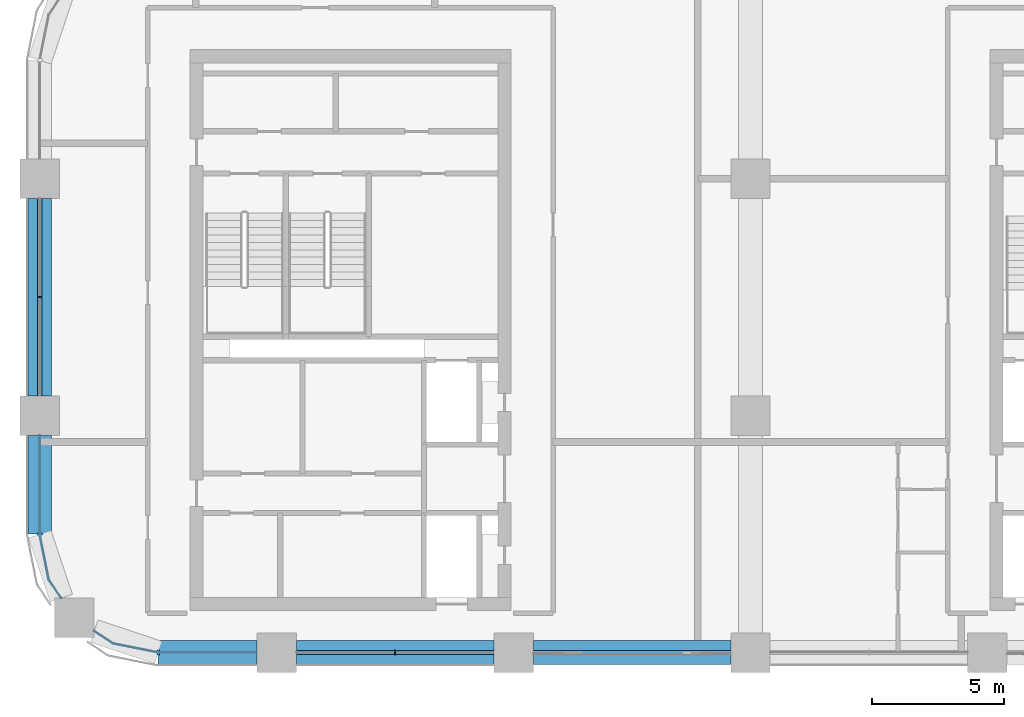
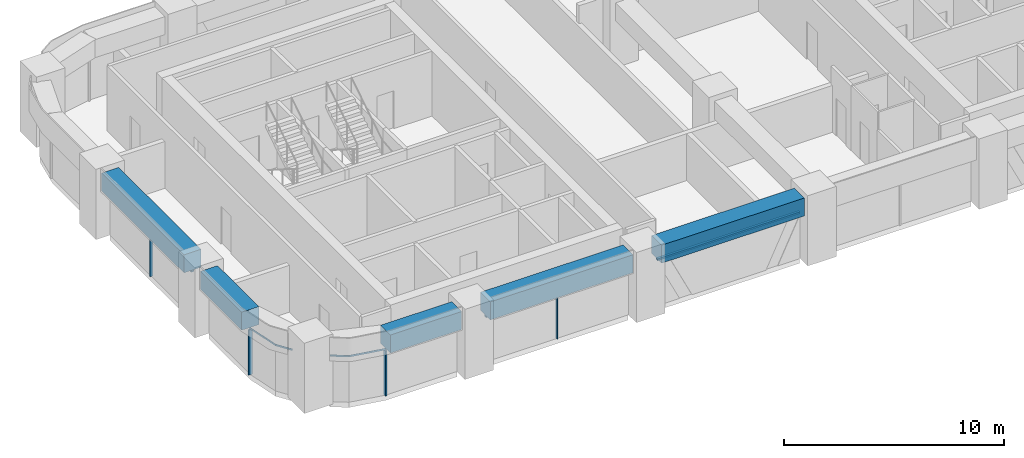
# One storey, part 2 of 14: 9 members, 5 beams, 5 elements without a shape of their own.
"""IFC4 building model written with IfcOpenShell, lengths in metres."""

import ifcopenshell
import ifcopenshell.guid

model = None  # the IFC model being written
_history = None  # IfcOwnerHistory: only IFC2X3 demands one
_inside = {}  # id of a spatial element -> (the spatial element, [elements in it])
_under = {}  # id of a project, library or spatial element -> (it, [spatial elements below it])
_declared = {}  # id of a project -> (the project, [libraries it declares])
_typed = {}  # id of a type object -> (the type object, [elements of that type])
_made_of = {}  # id of a material, layer set ... -> (it, [elements and type objects made of it])


def new_model(schema):
    """Start an empty IFC model of exactly this schema.

    Asked for "IFC4X3", IfcOpenShell would pick the latest addendum, in which some entities
    have other attributes; the version numbers below select the first issue.
    IFC2X3 requires an IfcOwnerHistory on every rooted entity: one is made here for all.
    """
    global model, _history
    if schema == "IFC4X3":
        model = ifcopenshell.file(schema_version=(4, 3, 0, 0))
    else:
        model = ifcopenshell.file(schema=schema)
    _inside.clear()
    _under.clear()
    _declared.clear()
    _typed.clear()
    _made_of.clear()
    _history = None
    if model.schema == "IFC2X3":
        org = make("IfcOrganization", Name="unknown")
        user = make(
            "IfcPersonAndOrganization",
            ThePerson=make("IfcPerson", FamilyName="unknown"),
            TheOrganization=org,
        )
        app = make(
            "IfcApplication",
            ApplicationDeveloper=org,
            Version="unknown",
            ApplicationFullName="unknown",
            ApplicationIdentifier="unknown",
        )
        _history = make(
            "IfcOwnerHistory",
            OwningUser=user,
            OwningApplication=app,
            ChangeAction="ADDED",
            CreationDate=0,
        )
    return model


def make(cls, **values):
    """One entity of the class cls with the attributes given. An attribute that is None is left unset."""
    return model.create_entity(
        cls, **{name: value for name, value in values.items() if value is not None}
    )


def rooted(cls, **values):
    """An entity with a GlobalId (a new one), such as an element, a storey or a relation."""
    return make(cls, GlobalId=ifcopenshell.guid.new(), OwnerHistory=_history, **values)


def si_unit(unit_type, name, prefix=None):
    """IfcSIUnit, for example si_unit("LENGTHUNIT", "METRE", prefix="MILLI")."""
    return make("IfcSIUnit", UnitType=unit_type, Prefix=prefix, Name=name)


def assignment(units):
    """IfcUnitAssignment: the units of a project."""
    return None if units is None else make("IfcUnitAssignment", Units=units)


def point(xyz):
    """IfcCartesianPoint."""
    return None if xyz is None else make("IfcCartesianPoint", Coordinates=xyz)


def direction(xyz):
    """IfcDirection."""
    return None if xyz is None else make("IfcDirection", DirectionRatios=xyz)


def frame(location, z_axis=None, x_axis=None):
    """IfcAxis2Placement3D, a coordinate frame: its origin and axes. An axis left out is left unset."""
    return make(
        "IfcAxis2Placement3D",
        Location=point(location),
        Axis=direction(z_axis),
        RefDirection=direction(x_axis),
    )


def frame_2d(location, x_axis=None):
    """IfcAxis2Placement2D, a coordinate frame in the plane: its origin and x axis."""
    return make(
        "IfcAxis2Placement2D", Location=point(location), RefDirection=direction(x_axis)
    )


def origin():
    """The frame at (0, 0, 0) with its axes left unset."""
    return frame((0.0, 0.0, 0.0))


def origin_2d():
    """The frame at (0, 0) in the plane with its x axis left unset."""
    return frame_2d((0.0, 0.0))


def place(relative_to, where):
    """IfcLocalPlacement: puts the frame where relative to a parent placement (None: the world)."""
    return make(
        "IfcLocalPlacement", PlacementRelTo=relative_to, RelativePlacement=where
    )


def context(
    kind, dimensions, precision=None, world=None, true_north=None, identifier=None
):
    """IfcGeometricRepresentationContext, for example the 3D "Model" context."""
    return make(
        "IfcGeometricRepresentationContext",
        ContextIdentifier=identifier,
        ContextType=kind,
        CoordinateSpaceDimension=dimensions,
        Precision=precision,
        WorldCoordinateSystem=world,
        TrueNorth=true_north,
    )


def subcontext(parent, identifier, kind, view, scale=None):
    """IfcGeometricRepresentationSubContext, for example "Body" below "Model"."""
    return make(
        "IfcGeometricRepresentationSubContext",
        ContextIdentifier=identifier,
        ContextType=kind,
        ParentContext=parent,
        TargetScale=scale,
        TargetView=view,
    )


def project(units=None, contexts=None):
    """IfcProject with its units and contexts."""
    return rooted(
        "IfcProject",
        Name="project",
        RepresentationContexts=contexts,
        UnitsInContext=assignment(units),
    )


def spatial(cls, under=None, at=None, **own):
    """A site, building, storey or space (cls), placed at a placement, below another one or the project."""
    s = rooted(cls, ObjectPlacement=at, **own)
    if under is not None:
        _under.setdefault(under.id(), (under, []))[1].append(s)
    return s


def polyline(points):
    """IfcPolyline through the points."""
    return make("IfcPolyline", Points=[point(p) for p in points])


def profile(cls, at=None, kind="AREA", **sizes):
    """A parametric profile (cls). Its sizes go by their IFC names, for example OverallWidth=200.0."""
    return make(cls, ProfileType=kind, Position=at, **sizes)


def rectangle(**sizes):
    """IfcRectangleProfileDef."""
    return profile("IfcRectangleProfileDef", **sizes)


def outline(outer, holes=None, kind="AREA"):
    """IfcArbitraryClosedProfileDef: a profile drawn as a closed curve; with holes, ...WithVoids."""
    if holes is None:
        return make("IfcArbitraryClosedProfileDef", ProfileType=kind, OuterCurve=outer)
    return make(
        "IfcArbitraryProfileDefWithVoids",
        ProfileType=kind,
        OuterCurve=outer,
        InnerCurves=holes,
    )


def extrude(swept, where, along, depth):
    """IfcExtrudedAreaSolid: the profile swept, set in the frame where, extruded along a direction by depth."""
    return make(
        "IfcExtrudedAreaSolid",
        SweptArea=swept,
        Position=where,
        ExtrudedDirection=direction(along),
        Depth=depth,
    )


def shape(context_of_items, identifier, shape_type, items):
    """IfcShapeRepresentation: the items that make up one representation, for example the "Body"."""
    return make(
        "IfcShapeRepresentation",
        ContextOfItems=context_of_items,
        RepresentationIdentifier=identifier,
        RepresentationType=shape_type,
        Items=items,
    )


def material(Name=None, Category=None):
    """IfcMaterial."""
    return make("IfcMaterial", Name=Name, Category=Category)


def material_profile(
    of_material, cross_section, Name=None, Category=None, Priority=None
):
    """IfcMaterialProfile: a cross section and its material."""
    return make(
        "IfcMaterialProfile",
        Name=Name,
        Material=of_material,
        Profile=cross_section,
        Priority=Priority,
        Category=Category,
    )


def profile_set(profiles, Name=None, composite=None):
    """IfcMaterialProfileSet."""
    return make(
        "IfcMaterialProfileSet",
        Name=Name,
        MaterialProfiles=profiles,
        CompositeProfile=composite,
    )


def made_of(thing, what):
    """Note that an element or type object is made of a material, layer set ...; save() writes the relation."""
    if what is not None:
        _made_of.setdefault(what.id(), (what, []))[1].append(thing)
    return thing


def type_object(cls, material=None, **own):
    """A type object (cls), such as IfcWallType, which elements share."""
    return made_of(rooted(cls, **own), material)


def element(
    cls,
    number,
    at=None,
    inside=None,
    cuts=None,
    type_object=None,
    material=None,
    context=None,
    identifier="Body",
    shape_type=None,
    held_by="IfcProductDefinitionShape",
    body=None,
    shapes=None,
    **own,
):
    """One element of the class cls, such as IfcWall. Its Tag is "e" and its number.

    at: its placement. inside: the storey or other place that contains it. cuts: it is an
    opening in that element (IfcRelVoidsElement). A single representation is given by context,
    identifier, shape_type and body (its items); several are given by shapes. held_by: the class
    of the entity that holds the representations. save() writes the other relations.
    """
    e = rooted(cls, Tag="e%d" % number, ObjectPlacement=at, **own)
    if body is not None:
        shapes = [shape(context, identifier, shape_type, body)]
    if shapes is not None:
        e.Representation = make(held_by, Representations=shapes)
    if inside is not None:
        _inside.setdefault(inside.id(), (inside, []))[1].append(e)
    if cuts is not None:
        rooted(
            "IfcRelVoidsElement", RelatingBuildingElement=cuts, RelatedOpeningElement=e
        )
    if type_object is not None:
        _typed.setdefault(type_object.id(), (type_object, []))[1].append(e)
    return made_of(e, material)


def aggregate(whole, parts):
    """IfcRelAggregates: a whole, such as a stair, and the parts it consists of."""
    return rooted("IfcRelAggregates", RelatingObject=whole, RelatedObjects=parts)


def save(model, path):
    """Write the relations noted so far, then the file.

    IfcRelAggregates (storeys below a building ...), IfcRelContainedInSpatialStructure (elements
    in a storey), IfcRelDefinesByType, IfcRelAssociatesMaterial and IfcRelDeclares: one each for
    every whole, place, type object, material and project.
    """
    for whole, parts in _under.values():
        aggregate(whole, parts)
    for where, things in _inside.values():
        rooted(
            "IfcRelContainedInSpatialStructure",
            RelatedElements=things,
            RelatingStructure=where,
        )
    for kind, things in _typed.values():
        rooted("IfcRelDefinesByType", RelatedObjects=things, RelatingType=kind)
    for what, things in _made_of.values():
        rooted("IfcRelAssociatesMaterial", RelatedObjects=things, RelatingMaterial=what)
    for by, libraries in _declared.values():
        rooted("IfcRelDeclares", RelatingContext=by, RelatedDefinitions=libraries)
    model.write(path)


model = new_model("IFC4")

# Units and contexts
model_context = context("Model", 3, precision=1e-05, world=origin(), true_north=direction((0.0, 1.0)))
body_context = subcontext(model_context, "Body", "Model", "MODEL_VIEW")
ifc_project = project(units=[si_unit("LENGTHUNIT", "METRE"), si_unit("AREAUNIT", "SQUARE_METRE"), si_unit("VOLUMEUNIT", "CUBIC_METRE"), si_unit("PLANEANGLEUNIT", "RADIAN"), si_unit("MASSUNIT", "GRAM", prefix="KILO")], contexts=[model_context])

# Site, building, storey
site_placement = place(None, origin())
site = spatial("IfcSite", under=ifc_project, at=site_placement, CompositionType="ELEMENT")
building_placement = place(site_placement, origin())
building = spatial("IfcBuilding", under=site, at=building_placement, Name="Tessera Arch", CompositionType="ELEMENT")
storey_placement = place(building_placement, frame((0.0, 0.0, 177.800048828125)))
storey = spatial("IfcBuildingStorey", under=building, at=storey_placement, Name="L42", CompositionType="ELEMENT", Elevation=177.800048828125)

# Curtain wall, member
ifc_material_1 = material(Name="CW1 curtain wall")
curtain_wall_type_1 = type_object("IfcCurtainWallType", Name="CW1 curtain wall", PredefinedType="NOTDEFINED", material=ifc_material_1)
curtain_wall_1_placement = place(storey_placement, origin())
curtain_wall_1 = element("IfcCurtainWall", 1, at=curtain_wall_1_placement, inside=storey, type_object=curtain_wall_type_1, Name="CW1 curtain wall W0.27/1 L42", PredefinedType="NOTDEFINED")
ifc_material_2 = material(Name="Anodised aluminium pale metal", Category="aluminium")
ifc_material_profile_1 = material_profile(ifc_material_2, rectangle(XDim=0.159912109375, YDim=0.06005859375, at=origin_2d()), Name="AL 60x160")
ifc_profile_set_1 = profile_set([ifc_material_profile_1], Name="Anodised aluminium pale metal")
member_type_1 = type_object("IfcMemberType", Name="CW1 mullion", PredefinedType="MULLION", material=ifc_profile_set_1)
member_1_placement = place(storey_placement, frame((0.0, 40.5, 0.0), z_axis=(0.0, 0.0, 1.0), x_axis=(1.0, 0.0, 0.0)))
member_1 = element("IfcMember", 2, at=member_1_placement, type_object=member_type_1, Name="CW1 mullion W0.27/1 1", PredefinedType="MULLION", context=body_context, shape_type="SweptSolid", body=[
    extrude(rectangle(XDim=0.159912109375, YDim=0.06005859375, at=origin_2d()), origin(), (0.0, 0.0, 1.0), 2.5),
])

curtain_wall_2_placement = place(storey_placement, origin())
curtain_wall_2 = element("IfcCurtainWall", 3, at=curtain_wall_2_placement, inside=storey, type_object=curtain_wall_type_1, Name="CW1 curtain wall S27.0/1 L42", PredefinedType="NOTDEFINED")
member_2_placement = place(storey_placement, frame((13.5, 27.0, 0.0), z_axis=(0.0, 0.0, 1.0), x_axis=(0.0, 1.0, 0.0)))
member_2 = element("IfcMember", 4, at=member_2_placement, type_object=member_type_1, Name="CW1 mullion S27.0/1 1", PredefinedType="MULLION", context=body_context, shape_type="SweptSolid", body=[
    extrude(rectangle(XDim=0.159912109375, YDim=0.06005859375, at=origin_2d()), origin(), (0.0, 0.0, 1.0), 2.5),
])

# Member
ifc_material_3 = material(Name="Anodised aluminium pale metal", Category="aluminium")
ifc_material_profile_2 = material_profile(ifc_material_3, rectangle(XDim=0.159912109375, YDim=0.10009765625, at=origin_2d()), Name="AL 160x100")
ifc_profile_set_2 = profile_set([ifc_material_profile_2], Name="Anodised aluminium pale metal")
member_type_2 = type_object("IfcMemberType", Name="CW1 transom", PredefinedType="USERDEFINED", material=ifc_profile_set_2)
member_3_placement = place(storey_placement, frame((0.0, 44.25, 2.550048828125), z_axis=(0.0, -1.0, 0.0), x_axis=(1.0, 0.0, 0.0)))
member_3 = element("IfcMember", 5, at=member_3_placement, type_object=member_type_2, Name="CW1 transom W0.27/1 1.1", ObjectType="TRANSOM", PredefinedType="USERDEFINED", context=body_context, shape_type="SweptSolid", body=[
    extrude(rectangle(XDim=0.159912109375, YDim=0.10009765625, at=origin_2d()), origin(), (0.0, 0.0, 1.0), 7.5),
])

aggregate(curtain_wall_1, [member_1, member_3])

member_4_placement = place(storey_placement, frame((9.75, 27.0, 2.550048828125), z_axis=(1.0, 0.0, 0.0), x_axis=(0.0, 1.0, 0.0)))
member_4 = element("IfcMember", 6, at=member_4_placement, type_object=member_type_2, Name="CW1 transom S27.0/1 1.1", ObjectType="TRANSOM", PredefinedType="USERDEFINED", context=body_context, shape_type="SweptSolid", body=[
    extrude(rectangle(XDim=0.159912109375, YDim=0.10009765625, at=origin_2d()), origin(), (0.0, 0.0, 1.0), 7.5),
])

aggregate(curtain_wall_2, [member_2, member_4])

# Curtain wall, member
ifc_material_4 = material(Name="CW2 curtain wall")
curtain_wall_type_2 = type_object("IfcCurtainWallType", Name="CW2 curtain wall", PredefinedType="NOTDEFINED", material=ifc_material_4)
curtain_wall_3_placement = place(storey_placement, origin())
curtain_wall_3 = element("IfcCurtainWall", 7, at=curtain_wall_3_placement, inside=storey, type_object=curtain_wall_type_2, Name="CW2 curtain wall W0.27/2 L42", PredefinedType="NOTDEFINED")
ifc_material_5 = material(Name="Anodised aluminium pale metal", Category="aluminium")
ifc_material_profile_3 = material_profile(ifc_material_5, rectangle(XDim=0.199951171875, YDim=0.080078125, at=origin_2d()), Name="AL 80x200")
ifc_profile_set_3 = profile_set([ifc_material_profile_3], Name="Anodised aluminium pale metal")
member_type_3 = type_object("IfcMemberType", Name="CW2 mullion", PredefinedType="MULLION", material=ifc_profile_set_3)
member_5_placement = place(storey_placement, frame((0.0, 31.5, 0.0), z_axis=(0.0, 0.0, 1.0), x_axis=(1.0, 0.0, 0.0)))
member_5 = element("IfcMember", 8, at=member_5_placement, type_object=member_type_3, Name="CW2 mullion W0.27/2 1", PredefinedType="MULLION", context=body_context, shape_type="SweptSolid", body=[
    extrude(rectangle(XDim=0.199951171875, YDim=0.080078125, at=origin_2d()), origin(), (0.0, 0.0, 1.0), 2.5),
])

curtain_wall_4_placement = place(storey_placement, origin())
curtain_wall_4 = element("IfcCurtainWall", 9, at=curtain_wall_4_placement, inside=storey, type_object=curtain_wall_type_2, Name="CW2 curtain wall S27.0/0 L42", PredefinedType="NOTDEFINED")
member_6_placement = place(storey_placement, frame((4.5, 27.0, 0.0), z_axis=(0.0, 0.0, 1.0), x_axis=(0.0, 1.0, 0.0)))
member_6 = element("IfcMember", 10, at=member_6_placement, type_object=member_type_3, Name="CW2 mullion S27.0/0 1", PredefinedType="MULLION", context=body_context, shape_type="SweptSolid", body=[
    extrude(rectangle(XDim=0.199951171875, YDim=0.080078125, at=origin_2d()), origin(), (0.0, 0.0, 1.0), 2.5),
])

# Member
ifc_material_6 = material(Name="Anodised aluminium pale metal", Category="aluminium")
ifc_material_profile_4 = material_profile(ifc_material_6, rectangle(XDim=0.199951171875, YDim=0.10009765625, at=origin_2d()), Name="AL 200x100")
ifc_profile_set_4 = profile_set([ifc_material_profile_4], Name="Anodised aluminium pale metal")
member_type_4 = type_object("IfcMemberType", Name="CW2 transom", PredefinedType="USERDEFINED", material=ifc_profile_set_4)
member_7_placement = place(storey_placement, frame((0.0, 0.0, 2.5)))
member_7 = element("IfcMember", 11, at=member_7_placement, type_object=member_type_4, Name="CW2 transom W0.27/2 1", ObjectType="TRANSOM", PredefinedType="USERDEFINED", context=body_context, shape_type="SweptSolid", body=[
    extrude(outline(polyline([(0.010009765625, 31.5009765625), (0.010009765625, 35.25), (-0.010009765625, 35.25), (-0.010009765625, 31.4990234375), (0.3330078125, 29.77392578125), (0.80859375, 29.0625), (0.8251953125, 29.073486328125), (0.351806640625, 29.78173828125), (0.010009765625, 31.5009765625)])), origin(), (0.0, 0.0, 1.0), 0.099853515625),
])

aggregate(curtain_wall_3, [member_5, member_7])

member_8_placement = place(storey_placement, frame((0.0, 0.0, 2.5)))
member_8 = element("IfcMember", 12, at=member_8_placement, type_object=member_type_4, Name="CW2 transom S27.0/0 1", ObjectType="TRANSOM", PredefinedType="USERDEFINED", context=body_context, shape_type="SweptSolid", body=[
    extrude(outline(polyline([(2.78173828125, 27.351806640625), (2.073486328125, 27.8251953125), (2.0625, 27.80859375), (2.77392578125, 27.3330078125), (4.4990234375, 26.989990234375), (8.25, 26.989990234375), (8.25, 27.010009765625), (4.5009765625, 27.010009765625), (2.78173828125, 27.351806640625)])), origin(), (0.0, 0.0, 1.0), 0.099853515625),
])

aggregate(curtain_wall_4, [member_6, member_8])

# Curtain wall, member
ifc_material_7 = material(Name="CW3 curtain wall")
curtain_wall_type_3 = type_object("IfcCurtainWallType", Name="CW3 curtain wall", PredefinedType="NOTDEFINED", material=ifc_material_7)
curtain_wall_5_placement = place(storey_placement, origin())
curtain_wall_5 = element("IfcCurtainWall", 13, at=curtain_wall_5_placement, inside=storey, type_object=curtain_wall_type_3, Name="CW3 curtain wall S27.0/2 L42", PredefinedType="NOTDEFINED")
ifc_material_8 = material(Name="Anodised aluminium pale metal", Category="aluminium")
ifc_material_profile_5 = material_profile(ifc_material_8, rectangle(XDim=0.139892578125, YDim=0.10009765625, at=origin_2d()), Name="AL 140x100")
ifc_profile_set_5 = profile_set([ifc_material_profile_5], Name="Anodised aluminium pale metal")
member_type_5 = type_object("IfcMemberType", Name="CW3 transom", PredefinedType="USERDEFINED", material=ifc_profile_set_5)
member_9_placement = place(storey_placement, frame((18.75, 27.0, 2.550048828125), z_axis=(1.0, 0.0, 0.0), x_axis=(0.0, 1.0, 0.0)))
member_9 = element("IfcMember", 14, at=member_9_placement, type_object=member_type_5, Name="CW3 transom S27.0/2 1.1", ObjectType="TRANSOM", PredefinedType="USERDEFINED", context=body_context, shape_type="SweptSolid", body=[
    extrude(rectangle(XDim=0.139892578125, YDim=0.10009765625, at=origin_2d()), origin(), (0.0, 0.0, 1.0), 7.5),
])
aggregate(curtain_wall_5, [member_9])

# Beams
ifc_material_9 = material(Name="Concrete C70/85", Category="concrete")
ifc_material_profile_6 = material_profile(ifc_material_9, rectangle(XDim=0.89990234375, YDim=1.0, at=origin_2d()), Name="RC spandrel beam 900 x 1000 Concrete C70/85")
ifc_profile_set_6 = profile_set([ifc_material_profile_6], Name="Concrete C70/85")
beam_type = type_object("IfcBeamType", Name="RC spandrel beam 900 x 1000 Concrete C70/85", PredefinedType="BEAM", material=ifc_profile_set_6)
beam_placement = place(storey_placement, frame((0.0, 44.25, 3.099853515625), z_axis=(0.0, -1.0, 0.0), x_axis=(1.0, 0.0, 0.0)))
element("IfcBeam", 15, at=beam_placement, inside=storey, type_object=beam_type, Name="Spandrel beam L42 W0.27/1", PredefinedType="BEAM", context=body_context, shape_type="SweptSolid", body=[
    extrude(rectangle(XDim=0.89990234375, YDim=1.0, at=origin_2d()), origin(), (0.0, 0.0, 1.0), 7.5),
])
for number, where, z_axis, x_axis, name in (
    (16, (0.0, 35.25, 3.099853515625), (0.0, -1.0, 0.0), (1.0, 0.0, 0.0), "Spandrel beam L42 W0.27/2.1"),
    (17, (4.5, 27.0, 3.099853515625), (1.0, 0.0, 0.0), (0.0, 1.0, 0.0), "Spandrel beam L42 S27.0/0.2"),
):
    element("IfcBeam", number, at=place(storey_placement, frame(where, z_axis=z_axis, x_axis=x_axis)), inside=storey, type_object=beam_type, Name=name, PredefinedType="BEAM", context=body_context, shape_type="SweptSolid", body=[
        extrude(rectangle(XDim=0.89990234375, YDim=1.0, at=origin_2d()), origin(), (0.0, 0.0, 1.0), 3.75),
    ])
for number, where, z_axis, x_axis, name in (
    (18, (9.75, 27.0, 3.099853515625), (1.0, 0.0, 0.0), (0.0, 1.0, 0.0), "Spandrel beam L42 S27.0/1"),
    (19, (18.75, 27.0, 3.099853515625), (1.0, 0.0, 0.0), (0.0, 1.0, 0.0), "Spandrel beam L42 S27.0/2"),
):
    element("IfcBeam", number, at=place(storey_placement, frame(where, z_axis=z_axis, x_axis=x_axis)), inside=storey, type_object=beam_type, Name=name, PredefinedType="BEAM", context=body_context, shape_type="SweptSolid", body=[
        extrude(rectangle(XDim=0.89990234375, YDim=1.0, at=origin_2d()), origin(), (0.0, 0.0, 1.0), 7.5),
    ])

save(model, "model.ifc")
